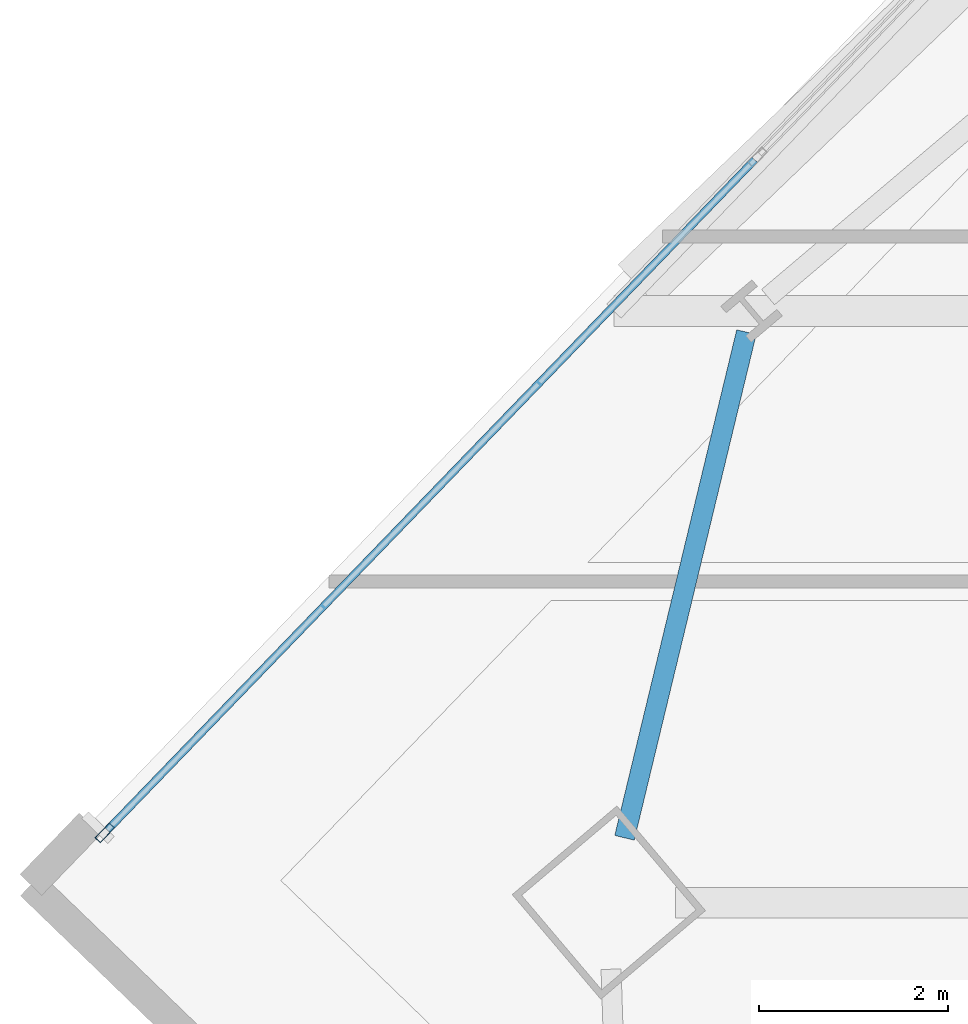
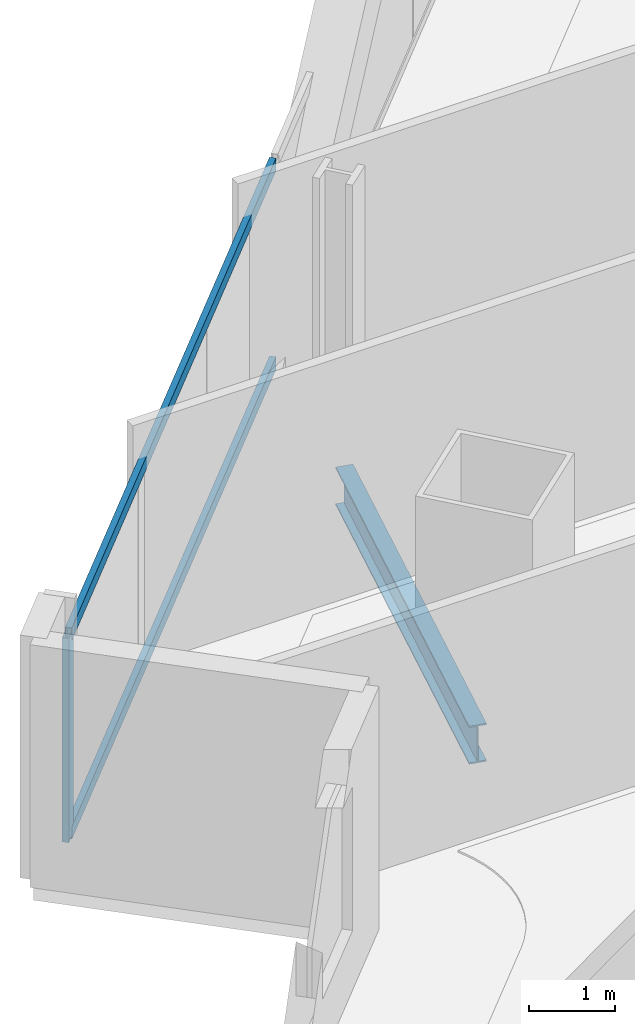
# One storey, part 14 of 33: 3 members, 1 beam, 1 element without a shape of its own.
"""IFC4 building model written with IfcOpenShell, lengths in metres."""

from ifc_helpers import new_model, si_unit, direction, frame, origin, origin_2d, place, context, subcontext, project, spatial, hollow_rectangle, i_section, extrude, material, material_profile, profile_set, type_object, element, aggregate, save


model = new_model("IFC4")

# Units and contexts
model_context = context("Model", 3, precision=1e-05, world=origin(), true_north=direction((0.0, 1.0)))
body_context = subcontext(model_context, "Body", "Model", "MODEL_VIEW")
ifc_project = project(units=[si_unit("LENGTHUNIT", "METRE"), si_unit("AREAUNIT", "SQUARE_METRE"), si_unit("VOLUMEUNIT", "CUBIC_METRE"), si_unit("PLANEANGLEUNIT", "RADIAN"), si_unit("MASSUNIT", "GRAM", prefix="KILO")], contexts=[model_context])

# Site, building, storey
site_placement = place(None, origin())
site = spatial("IfcSite", under=ifc_project, at=site_placement, CompositionType="ELEMENT")
building_placement = place(site_placement, origin())
building = spatial("IfcBuilding", under=site, at=building_placement, Name="Haldenkirk Collegiate Tower", CompositionType="ELEMENT")
storey_placement = place(building_placement, frame((0.0, 0.0, 181.949951171875)))
storey = spatial("IfcBuildingStorey", under=building, at=storey_placement, Name="L45", CompositionType="ELEMENT", Elevation=181.949951171875)

# Beam
ifc_material_1 = material(Name="Steel ASTM A992 Grade 50", Category="steel")
ifc_material_profile_1 = material_profile(ifc_material_1, i_section(OverallWidth=0.2119140625, OverallDepth=0.5439453125, WebThickness=0.01318359375, FlangeThickness=0.021240234375, at=origin_2d()), Name="W21X83")
ifc_profile_set_1 = profile_set([ifc_material_profile_1], Name="Steel ASTM A992 Grade 50")
beam_type = type_object("IfcBeamType", Name="BM-SPANDREL-W21X83", PredefinedType="SPANDREL", material=ifc_profile_set_1)
beam_placement = place(storey_placement, frame((12.21630859375, 33.137451171875, -0.56201171875), z_axis=(-0.234477140293, -0.972121633686, 0.0), x_axis=(0.972121633686, -0.234477140293, 0.0)))
element("IfcBeam", 1, at=beam_placement, inside=storey, type_object=beam_type, Name="L45 perimeter spandrel beam 12", PredefinedType="SPANDREL", context=body_context, shape_type="SweptSolid", body=[
    extrude(i_section(OverallWidth=0.2119140625, OverallDepth=0.5439453125, WebThickness=0.01318359375, FlangeThickness=0.021240234375, at=origin_2d()), origin(), (0.0, 0.0, 1.0), 5.501708984375),
])

# Curtain wall, members
ifc_material_2 = material(Name="Anodised architectural bronze aluminium", Category="aluminium")
curtain_wall_type = type_object("IfcCurtainWallType", Name="CW-SYS1-CONVEX-LOW", PredefinedType="USERDEFINED", material=ifc_material_2)
curtain_wall_placement = place(storey_placement, origin())
curtain_wall = element("IfcCurtainWall", 2, at=curtain_wall_placement, inside=storey, type_object=curtain_wall_type, Name="L45 Lower tower convex bronze-framed unitised curtain wall", ObjectType="UNITISED CURTAIN WALL", PredefinedType="USERDEFINED")
ifc_material_profile_2 = material_profile(ifc_material_2, hollow_rectangle(XDim=0.080078125, YDim=0.219970703125, WallThickness=0.0048828125, at=origin_2d()), Name="CW-MUL-1A")
ifc_profile_set_2 = profile_set([ifc_material_profile_2], Name="Anodised architectural bronze aluminium")
member_type_1 = type_object("IfcMemberType", Name="CW-MUL-1A", PredefinedType="MULLION", material=ifc_profile_set_2)
member_1_placement = place(storey_placement, frame((5.430419921875, 27.8427734375, 0.0), z_axis=(0.0, 0.0, 1.0), x_axis=(-0.719341171776, 0.694656950291, 0.0)))
member_1 = element("IfcMember", 3, at=member_1_placement, type_object=member_type_1, Name="CW-1A mullion 1", PredefinedType="MULLION", context=body_context, shape_type="SweptSolid", body=[
    extrude(hollow_rectangle(XDim=0.080078125, YDim=0.219970703125, WallThickness=0.0048828125, at=origin_2d()), origin(), (0.0, 0.0, 1.0), 2.9111328125),
])
ifc_material_profile_3 = material_profile(ifc_material_2, hollow_rectangle(XDim=0.080078125, YDim=0.179931640625, WallThickness=0.0048828125, at=origin_2d()), Name="CW-TRN-1A")
ifc_profile_set_3 = profile_set([ifc_material_profile_3], Name="Anodised architectural bronze aluminium")
member_type_2 = type_object("IfcMemberType", Name="CW-TRN-1A", PredefinedType="USERDEFINED", material=ifc_profile_set_3)
member_2_placement = place(storey_placement, frame((5.458251953125, 27.871337890625, 0.0400390625), z_axis=(0.694649333564, 0.719348527057, 0.0), x_axis=(-0.719348527057, 0.694649333564, 0.0)))
member_2 = element("IfcMember", 4, at=member_2_placement, type_object=member_type_2, Name="CW-1A transom 1.1", ObjectType="TRANSOM", PredefinedType="USERDEFINED", context=body_context, shape_type="SweptSolid", body=[
    extrude(hollow_rectangle(XDim=0.080078125, YDim=0.179931640625, WallThickness=0.0048828125, at=origin_2d()), origin(), (0.0, 0.0, 1.0), 9.85498046875),
])
member_3_placement = place(storey_placement, frame((5.458251953125, 27.871337890625, 2.87109375), z_axis=(0.694649333564, 0.719348527057, 0.0), x_axis=(-0.719348527057, 0.694649333564, 0.0)))
member_3 = element("IfcMember", 5, at=member_3_placement, type_object=member_type_2, Name="CW-1A transom 1.2", ObjectType="TRANSOM", PredefinedType="USERDEFINED", context=body_context, shape_type="SweptSolid", body=[
    extrude(hollow_rectangle(XDim=0.080078125, YDim=0.179931640625, WallThickness=0.0048828125, at=origin_2d()), origin(), (0.0, 0.0, 1.0), 9.85498046875),
])
aggregate(curtain_wall, [member_1, member_2, member_3])

save(model, "model.ifc")
